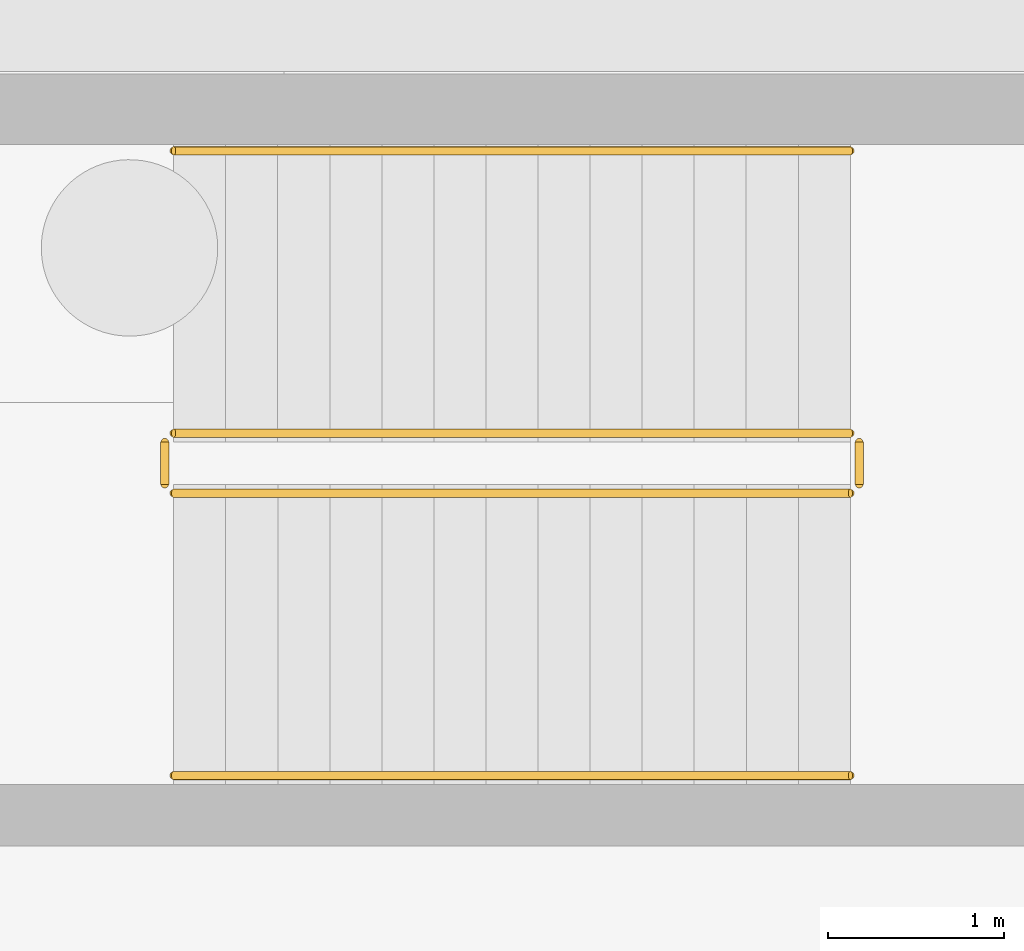
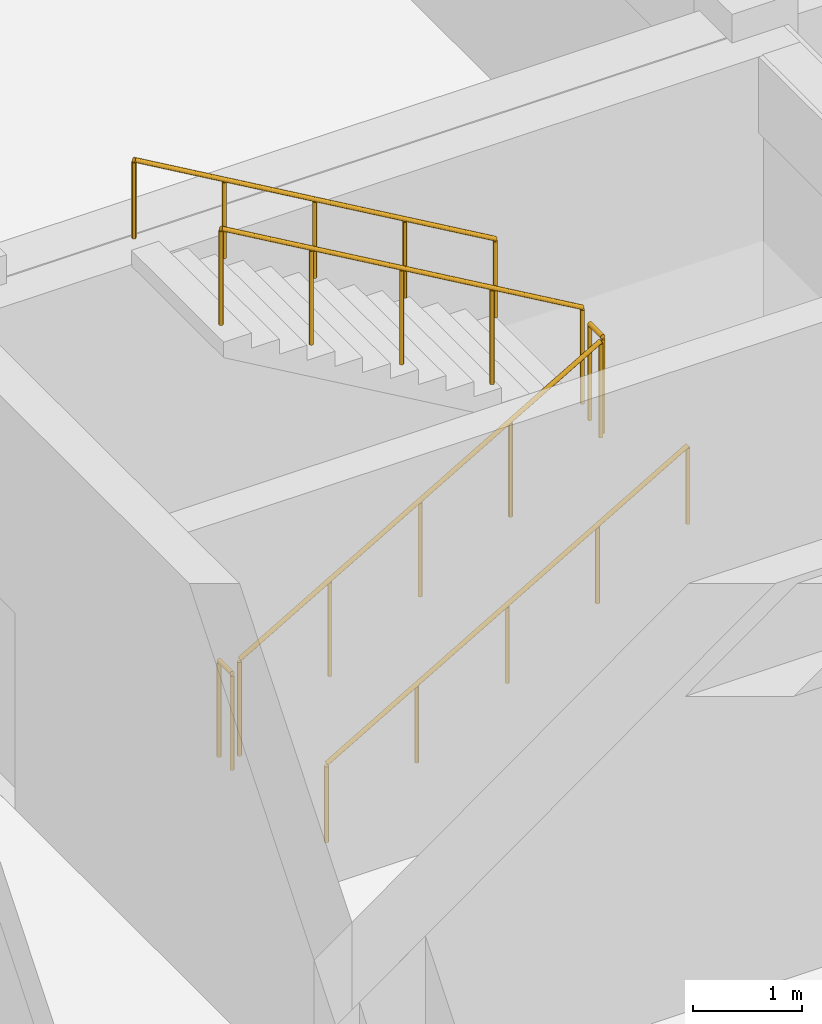
# One storey, part 29 of 35: 6 railings.
"""IFC4 building model written with IfcOpenShell, lengths in metres."""

from ifc_helpers import new_model, si_unit, direction, frame, origin, origin_2d, place, context, subcontext, project, spatial, circle, extrude, material, type_object, element, save


model = new_model("IFC4")

# Units and contexts
model_context = context("Model", 3, precision=1e-05, world=origin(), true_north=direction((0.0, 1.0)))
body_context = subcontext(model_context, "Body", "Model", "MODEL_VIEW")
ifc_project = project(units=[si_unit("LENGTHUNIT", "METRE"), si_unit("AREAUNIT", "SQUARE_METRE"), si_unit("VOLUMEUNIT", "CUBIC_METRE"), si_unit("PLANEANGLEUNIT", "RADIAN"), si_unit("MASSUNIT", "GRAM", prefix="KILO")], contexts=[model_context])

# Site, building, storey
site_placement = place(None, origin())
site = spatial("IfcSite", under=ifc_project, at=site_placement, CompositionType="ELEMENT")
building_placement = place(site_placement, origin())
building = spatial("IfcBuilding", under=site, at=building_placement, Name="Zayran Congress Hotel", CompositionType="ELEMENT")
storey_placement = place(building_placement, frame((0.0, 0.0, -4.800048828125)))
storey = spatial("IfcBuildingStorey", under=building, at=storey_placement, Name="B1", CompositionType="ELEMENT", Elevation=-4.800048828125)

# Railings
ifc_material_1 = material(Name="Painted steel balustrade", Category="steel")
railing_type_1 = type_object("IfcRailingType", Name="TP-GRD-INT", PredefinedType="GUARDRAIL", material=ifc_material_1)
railing_1_placement = place(storey_placement, frame((119.10009765625, 56.56005859375, 0.17138671875)))
element("IfcRailing", 1, at=railing_1_placement, inside=storey, type_object=railing_type_1, Name="B1 ST-08 stair guard 1", PredefinedType="GUARDRAIL", context=body_context, shape_type="SweptSolid", body=[
    extrude(circle(Radius=0.02392578125, at=origin_2d()), frame((0.0, 0.0, 1.076171875), z_axis=(0.864592272851, 0.0, 0.502474080651), x_axis=(0.0, 1.0, 0.0)), (0.0, 0.0, 1.0), 4.435546875),
    extrude(circle(Radius=0.02099609375, at=origin_2d()), origin(), (0.0, 0.0, 1.0), 1.052001953125),
    extrude(circle(Radius=0.02099609375, at=origin_2d()), frame((0.958740234375, 0.0, 0.55712890625)), (0.0, 0.0, 1.0), 1.052001953125),
    extrude(circle(Radius=0.02099609375, at=origin_2d()), frame((1.91748046875, 0.0, 1.1142578125)), (0.0, 0.0, 1.0), 1.052001953125),
    extrude(circle(Radius=0.02099609375, at=origin_2d()), frame((2.876220703125, 0.0, 1.671630859375)), (0.0, 0.0, 1.0), 1.052001953125),
    extrude(circle(Radius=0.02099609375, at=origin_2d()), frame((3.8349609375, 0.0, 2.228759765625)), (0.0, 0.0, 1.0), 1.052001953125),
])
railing_2_placement = place(storey_placement, frame((122.985107421875, 56.610107421875, 2.400146484375)))
element("IfcRailing", 2, at=railing_2_placement, inside=storey, type_object=railing_type_1, Name="B1 ST-08 stair guard 2", PredefinedType="GUARDRAIL", context=body_context, shape_type="SweptSolid", body=[
    extrude(circle(Radius=0.02392578125, at=origin_2d()), frame((0.0, 0.0, 1.076171875), z_axis=(0.0, 1.0, 0.0), x_axis=(-1.0, 0.0, 0.0)), (0.0, 0.0, 1.0), 0.239990234375),
    extrude(circle(Radius=0.02099609375, at=origin_2d()), origin(), (0.0, 0.0, 1.0), 1.052001953125),
    extrude(circle(Radius=0.02099609375, at=origin_2d()), frame((0.0, 0.239990234375, 0.0)), (0.0, 0.0, 1.0), 1.052001953125),
])
railing_3_placement = place(storey_placement, frame((122.93505859375, 56.89990234375, 2.571533203125)))
element("IfcRailing", 3, at=railing_3_placement, inside=storey, type_object=railing_type_1, Name="B1 ST-08 stair guard 3", PredefinedType="GUARDRAIL", context=body_context, shape_type="SweptSolid", body=[
    extrude(circle(Radius=0.02392578125, at=origin_2d()), frame((0.0, 0.0, 1.076171875), z_axis=(-0.86461618451, 0.0, 0.502432934314), x_axis=(0.0, -1.0, 0.0)), (0.0, 0.0, 1.0), 4.435546875),
    extrude(circle(Radius=0.02099609375, at=origin_2d()), origin(), (0.0, 0.0, 1.0), 1.052001953125),
    extrude(circle(Radius=0.02099609375, at=origin_2d()), frame((-0.958740234375, 0.0, 0.55712890625)), (0.0, 0.0, 1.0), 1.052001953125),
    extrude(circle(Radius=0.02099609375, at=origin_2d()), frame((-1.91748046875, 0.0, 1.1142578125)), (0.0, 0.0, 1.0), 1.052001953125),
    extrude(circle(Radius=0.02099609375, at=origin_2d()), frame((-2.876220703125, 0.0, 1.67138671875)), (0.0, 0.0, 1.0), 1.052001953125),
    extrude(circle(Radius=0.02099609375, at=origin_2d()), frame((-3.8349609375, 0.0, 2.228515625)), (0.0, 0.0, 1.0), 1.052001953125),
])
railing_4_placement = place(storey_placement, frame((119.050048828125, 56.610107421875, 0.0)))
element("IfcRailing", 4, at=railing_4_placement, inside=storey, type_object=railing_type_1, Name="B1 ST-08 stair guard 4", PredefinedType="GUARDRAIL", context=body_context, shape_type="SweptSolid", body=[
    extrude(circle(Radius=0.02392578125, at=origin_2d()), frame((0.0, 0.0, 1.076171875), z_axis=(0.0, 1.0, 0.0), x_axis=(-1.0, 0.0, 0.0)), (0.0, 0.0, 1.0), 0.239990234375),
    extrude(circle(Radius=0.02099609375, at=origin_2d()), origin(), (0.0, 0.0, 1.0), 1.052001953125),
    extrude(circle(Radius=0.02099609375, at=origin_2d()), frame((0.0, 0.239990234375, 0.0)), (0.0, 0.0, 1.0), 1.052001953125),
])
ifc_material_2 = material(Name="Brushed stainless steel handrail", Category="steel")
railing_type_2 = type_object("IfcRailingType", Name="TP-HND-STR", PredefinedType="HANDRAIL", material=ifc_material_2)
railing_5_placement = place(storey_placement, frame((119.10009765625, 54.9599609375, 0.17138671875)))
element("IfcRailing", 5, at=railing_5_placement, inside=storey, type_object=railing_type_2, Name="B1 ST-08 stair handrail 1", PredefinedType="HANDRAIL", context=body_context, shape_type="SweptSolid", body=[
    extrude(circle(Radius=0.02392578125, at=origin_2d()), frame((0.0, 0.0, 0.8759765625), z_axis=(0.864592272851, 0.0, 0.502474080651), x_axis=(0.0, 1.0, 0.0)), (0.0, 0.0, 1.0), 4.435546875),
    extrude(circle(Radius=0.02099609375, at=origin_2d()), origin(), (0.0, 0.0, 1.0), 0.851806640625),
    extrude(circle(Radius=0.02099609375, at=origin_2d()), frame((0.958740234375, 0.0, 0.55712890625)), (0.0, 0.0, 1.0), 0.851806640625),
    extrude(circle(Radius=0.02099609375, at=origin_2d()), frame((1.91748046875, 0.0, 1.1142578125)), (0.0, 0.0, 1.0), 0.851806640625),
    extrude(circle(Radius=0.02099609375, at=origin_2d()), frame((2.876220703125, 0.0, 1.671630859375)), (0.0, 0.0, 1.0), 0.851806640625),
    extrude(circle(Radius=0.02099609375, at=origin_2d()), frame((3.8349609375, 0.0, 2.228759765625)), (0.0, 0.0, 1.0), 0.851806640625),
])
railing_6_placement = place(storey_placement, frame((122.93505859375, 58.5, 2.571533203125)))
element("IfcRailing", 6, at=railing_6_placement, inside=storey, type_object=railing_type_2, Name="B1 ST-08 stair handrail 2", PredefinedType="HANDRAIL", context=body_context, shape_type="SweptSolid", body=[
    extrude(circle(Radius=0.02392578125, at=origin_2d()), frame((0.0, 0.0, 0.8759765625), z_axis=(-0.86461618451, 0.0, 0.502432934314), x_axis=(0.0, -1.0, 0.0)), (0.0, 0.0, 1.0), 4.435546875),
    extrude(circle(Radius=0.02099609375, at=origin_2d()), origin(), (0.0, 0.0, 1.0), 0.851806640625),
    extrude(circle(Radius=0.02099609375, at=origin_2d()), frame((-0.958740234375, 0.0, 0.55712890625)), (0.0, 0.0, 1.0), 0.851806640625),
    extrude(circle(Radius=0.02099609375, at=origin_2d()), frame((-1.91748046875, 0.0, 1.1142578125)), (0.0, 0.0, 1.0), 0.851806640625),
    extrude(circle(Radius=0.02099609375, at=origin_2d()), frame((-2.876220703125, 0.0, 1.67138671875)), (0.0, 0.0, 1.0), 0.851806640625),
    extrude(circle(Radius=0.02099609375, at=origin_2d()), frame((-3.8349609375, 0.0, 2.228515625)), (0.0, 0.0, 1.0), 0.851806640625),
])

save(model, "model.ifc")
